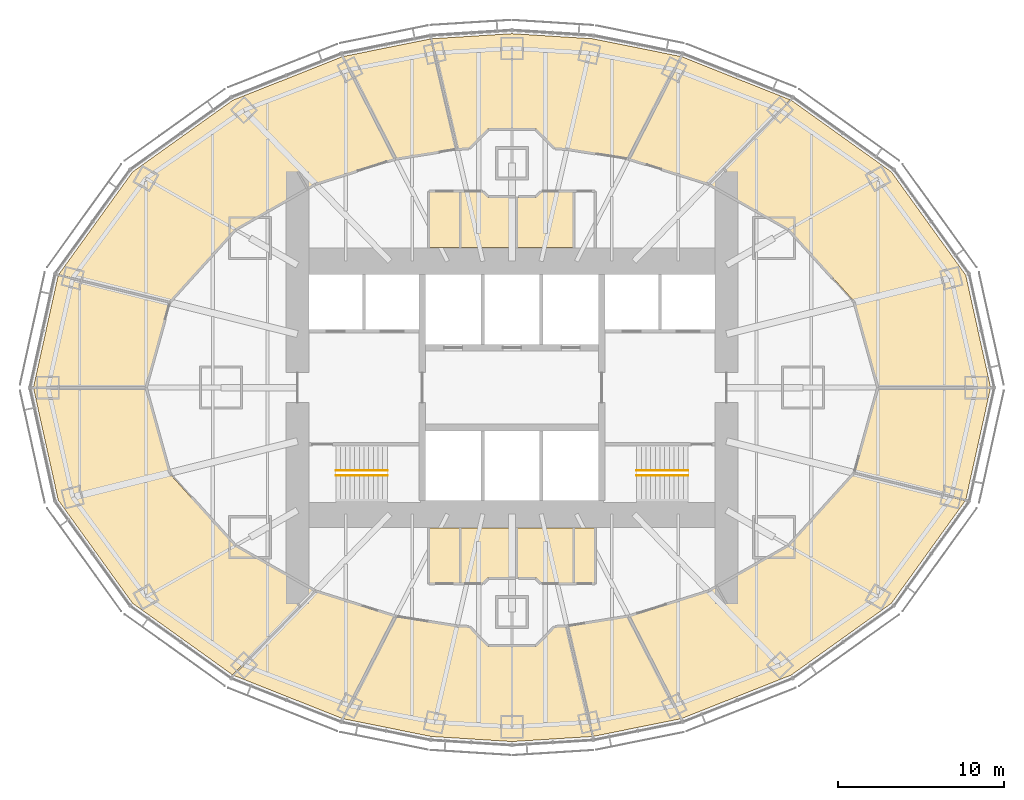
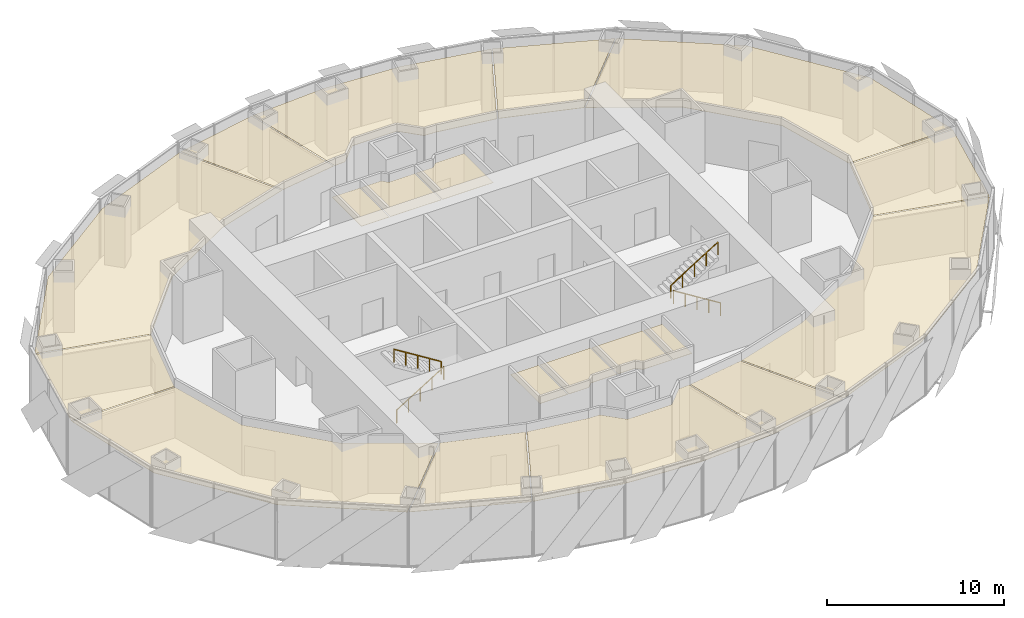
# One storey, part 18 of 18: 19 coverings, 4 railings.
"""IFC4 building model written with IfcOpenShell, lengths in metres."""

from ifc_helpers import new_model, si_unit, direction, frame, origin, origin_2d, place, context, subcontext, project, spatial, polyline, circle, outline, extrude, material, layer, layer_set, type_object, element, save


model = new_model("IFC4")

# Units and contexts
model_context = context("Model", 3, precision=1e-05, world=origin(), true_north=direction((0.0, 1.0)))
body_context = subcontext(model_context, "Body", "Model", "MODEL_VIEW")
ifc_project = project(units=[si_unit("LENGTHUNIT", "METRE"), si_unit("AREAUNIT", "SQUARE_METRE"), si_unit("VOLUMEUNIT", "CUBIC_METRE"), si_unit("PLANEANGLEUNIT", "RADIAN"), si_unit("MASSUNIT", "GRAM", prefix="KILO")], contexts=[model_context])

# Site, building, storey
site_placement = place(None, origin())
site = spatial("IfcSite", under=ifc_project, at=site_placement, CompositionType="ELEMENT")
building_placement = place(site_placement, origin())
building = spatial("IfcBuilding", under=site, at=building_placement, Name="Lantaw Convention Tower", CompositionType="ELEMENT")
storey_placement = place(building_placement, frame((0.0, 0.0, 176.199951171875)))
storey = spatial("IfcBuildingStorey", under=building, at=storey_placement, Name="L41", CompositionType="ELEMENT", Elevation=176.199951171875)

# Railings
ifc_material_1 = material(Name="Stainless steel", Category="steel")
railing_type = type_object("IfcRailingType", Name="Stair handrail", PredefinedType="HANDRAIL", material=ifc_material_1)
railing_1_placement = place(storey_placement, frame((-10.580078125, -5.280029296875, 0.175048828125)))
element("IfcRailing", 1, at=railing_1_placement, inside=storey, type_object=railing_type, Name="Stair handrail S1", PredefinedType="HANDRAIL", context=body_context, shape_type="SweptSolid", body=[
    extrude(circle(Radius=0.02392578125, at=origin_2d()), frame((0.0, 0.0, 0.8759765625), z_axis=(0.847998304005, 0.0, 0.529998940003), x_axis=(0.0, 1.0, 0.0)), (0.0, 0.0, 1.0), 3.632080078125),
    extrude(circle(Radius=0.02099609375, at=origin_2d()), origin(), (0.0, 0.0, 1.0), 0.851806640625),
    extrude(circle(Radius=0.02099609375, at=origin_2d()), frame((0.77001953125, 0.0, 0.481201171875)), (0.0, 0.0, 1.0), 0.851806640625),
    extrude(circle(Radius=0.02099609375, at=origin_2d()), frame((1.5400390625, 0.0, 0.96240234375)), (0.0, 0.0, 1.0), 0.851806640625),
    extrude(circle(Radius=0.02099609375, at=origin_2d()), frame((2.31005859375, 0.0, 1.44384765625)), (0.0, 0.0, 1.0), 0.851806640625),
    extrude(circle(Radius=0.02099609375, at=origin_2d()), frame((3.080078125, 0.0, 1.925048828125)), (0.0, 0.0, 1.0), 0.851806640625),
])
railing_2_placement = place(storey_placement, frame((-7.5, -4.97998046875, 2.275146484375)))
element("IfcRailing", 2, at=railing_2_placement, inside=storey, type_object=railing_type, Name="Stair handrail S1", PredefinedType="HANDRAIL", context=body_context, shape_type="SweptSolid", body=[
    extrude(circle(Radius=0.02392578125, at=origin_2d()), frame((0.0, 0.0, 0.8759765625), z_axis=(-0.848028513186, 0.0, 0.529950602248), x_axis=(0.0, -1.0, 0.0)), (0.0, 0.0, 1.0), 3.632080078125),
    extrude(circle(Radius=0.02099609375, at=origin_2d()), origin(), (0.0, 0.0, 1.0), 0.851806640625),
    extrude(circle(Radius=0.02099609375, at=origin_2d()), frame((-0.77001953125, 0.0, 0.481201171875)), (0.0, 0.0, 1.0), 0.851806640625),
    extrude(circle(Radius=0.02099609375, at=origin_2d()), frame((-1.5400390625, 0.0, 0.96240234375)), (0.0, 0.0, 1.0), 0.851806640625),
    extrude(circle(Radius=0.02099609375, at=origin_2d()), frame((-2.31005859375, 0.0, 1.443603515625)), (0.0, 0.0, 1.0), 0.851806640625),
    extrude(circle(Radius=0.02099609375, at=origin_2d()), frame((-3.080078125, 0.0, 1.9248046875)), (0.0, 0.0, 1.0), 0.851806640625),
])
railing_3_placement = place(storey_placement, frame((10.580078125, -5.280029296875, 0.175048828125)))
element("IfcRailing", 3, at=railing_3_placement, inside=storey, type_object=railing_type, Name="Stair handrail S2", PredefinedType="HANDRAIL", context=body_context, shape_type="SweptSolid", body=[
    extrude(circle(Radius=0.02392578125, at=origin_2d()), frame((0.0, 0.0, 0.8759765625), z_axis=(-0.847998304005, 0.0, 0.529998940003), x_axis=(0.0, -1.0, 0.0)), (0.0, 0.0, 1.0), 3.632080078125),
    extrude(circle(Radius=0.02099609375, at=origin_2d()), origin(), (0.0, 0.0, 1.0), 0.851806640625),
    extrude(circle(Radius=0.02099609375, at=origin_2d()), frame((-0.77001953125, 0.0, 0.481201171875)), (0.0, 0.0, 1.0), 0.851806640625),
    extrude(circle(Radius=0.02099609375, at=origin_2d()), frame((-1.5400390625, 0.0, 0.96240234375)), (0.0, 0.0, 1.0), 0.851806640625),
    extrude(circle(Radius=0.02099609375, at=origin_2d()), frame((-2.31005859375, 0.0, 1.44384765625)), (0.0, 0.0, 1.0), 0.851806640625),
    extrude(circle(Radius=0.02099609375, at=origin_2d()), frame((-3.080078125, 0.0, 1.925048828125)), (0.0, 0.0, 1.0), 0.851806640625),
])
railing_4_placement = place(storey_placement, frame((7.5, -4.97998046875, 2.275146484375)))
element("IfcRailing", 4, at=railing_4_placement, inside=storey, type_object=railing_type, Name="Stair handrail S2", PredefinedType="HANDRAIL", context=body_context, shape_type="SweptSolid", body=[
    extrude(circle(Radius=0.02392578125, at=origin_2d()), frame((0.0, 0.0, 0.8759765625), z_axis=(0.848028513186, 0.0, 0.529950602248), x_axis=(0.0, 1.0, 0.0)), (0.0, 0.0, 1.0), 3.632080078125),
    extrude(circle(Radius=0.02099609375, at=origin_2d()), origin(), (0.0, 0.0, 1.0), 0.851806640625),
    extrude(circle(Radius=0.02099609375, at=origin_2d()), frame((0.77001953125, 0.0, 0.481201171875)), (0.0, 0.0, 1.0), 0.851806640625),
    extrude(circle(Radius=0.02099609375, at=origin_2d()), frame((1.5400390625, 0.0, 0.96240234375)), (0.0, 0.0, 1.0), 0.851806640625),
    extrude(circle(Radius=0.02099609375, at=origin_2d()), frame((2.31005859375, 0.0, 1.443603515625)), (0.0, 0.0, 1.0), 0.851806640625),
    extrude(circle(Radius=0.02099609375, at=origin_2d()), frame((3.080078125, 0.0, 1.9248046875)), (0.0, 0.0, 1.0), 0.851806640625),
])

# Coverings
ifc_material_2 = material(Name="Gypsum board on steel suspension grid", Category="steel")
ifc_layer = layer(ifc_material_2, 0.02001953125)
ifc_layer_set = layer_set([ifc_layer], Name="Suspended ceiling")
covering_type = type_object("IfcCoveringType", Name="Suspended ceiling", PredefinedType="CEILING", material=ifc_layer_set)
covering_1_placement = place(storey_placement, frame((0.0, 0.0, 3.449951171875)))
element("IfcCovering", 5, at=covering_1_placement, inside=storey, type_object=covering_type, Name="Accessible WC ceiling", PredefinedType="CEILING", context=body_context, shape_type="SweptSolid", body=[
    extrude(outline(polyline([(-4.9599609375, 8.43994140625), (-3.139892578125, 8.43994140625), (-3.139892578125, 11.760009765625), (-4.9599609375, 11.760009765625), (-4.9599609375, 8.43994140625)])), origin(), (0.0, 0.0, 1.0), 0.02001953125),
])
covering_2_placement = place(storey_placement, frame((0.0, 0.0, 3.449951171875)))
element("IfcCovering", 6, at=covering_2_placement, inside=storey, type_object=covering_type, Name="Male WC ceiling", PredefinedType="CEILING", context=body_context, shape_type="SweptSolid", body=[
    extrude(outline(polyline([(-3.06005859375, 11.760009765625), (-3.06005859375, 8.43994140625), (0.260009765625, 8.43994140625), (0.260009765625, 11.43505859375), (-1.441162109375, 11.43505859375), (-1.76611328125, 11.760009765625), (-3.06005859375, 11.760009765625)])), origin(), (0.0, 0.0, 1.0), 0.02001953125),
])
covering_3_placement = place(storey_placement, frame((0.0, 0.0, 3.449951171875)))
element("IfcCovering", 7, at=covering_3_placement, inside=storey, type_object=covering_type, Name="Female WC ceiling", PredefinedType="CEILING", context=body_context, shape_type="SweptSolid", body=[
    extrude(outline(polyline([(0.340087890625, 11.43505859375), (0.340087890625, 8.43994140625), (3.659912109375, 8.43994140625), (3.659912109375, 11.760009765625), (1.76611328125, 11.760009765625), (1.441162109375, 11.43505859375), (0.340087890625, 11.43505859375)])), origin(), (0.0, 0.0, 1.0), 0.02001953125),
])
covering_4_placement = place(storey_placement, frame((0.0, 0.0, 3.449951171875)))
element("IfcCovering", 8, at=covering_4_placement, inside=storey, type_object=covering_type, Name="Accessible WC ceiling", PredefinedType="CEILING", context=body_context, shape_type="SweptSolid", body=[
    extrude(outline(polyline([(-4.9599609375, -11.760009765625), (-3.139892578125, -11.760009765625), (-3.139892578125, -8.43994140625), (-4.9599609375, -8.43994140625), (-4.9599609375, -11.760009765625)])), origin(), (0.0, 0.0, 1.0), 0.02001953125),
])
covering_5_placement = place(storey_placement, frame((0.0, 0.0, 3.449951171875)))
element("IfcCovering", 9, at=covering_5_placement, inside=storey, type_object=covering_type, Name="Male WC ceiling", PredefinedType="CEILING", context=body_context, shape_type="SweptSolid", body=[
    extrude(outline(polyline([(-3.06005859375, -8.43994140625), (-3.06005859375, -11.760009765625), (-1.76611328125, -11.760009765625), (-1.441162109375, -11.43505859375), (0.260009765625, -11.43505859375), (0.260009765625, -8.43994140625), (-3.06005859375, -8.43994140625)])), origin(), (0.0, 0.0, 1.0), 0.02001953125),
])
covering_6_placement = place(storey_placement, frame((0.0, 0.0, 3.449951171875)))
element("IfcCovering", 10, at=covering_6_placement, inside=storey, type_object=covering_type, Name="Female WC ceiling", PredefinedType="CEILING", context=body_context, shape_type="SweptSolid", body=[
    extrude(outline(polyline([(0.340087890625, -8.43994140625), (0.340087890625, -11.43505859375), (1.441162109375, -11.43505859375), (1.76611328125, -11.760009765625), (3.659912109375, -11.760009765625), (3.659912109375, -8.43994140625), (0.340087890625, -8.43994140625)])), origin(), (0.0, 0.0, 1.0), 0.02001953125),
])
covering_7_placement = place(storey_placement, frame((0.0, 0.0, 3.449951171875)))
element("IfcCovering", 11, at=covering_7_placement, inside=storey, type_object=covering_type, Name="Pantry ceiling", PredefinedType="CEILING", context=body_context, shape_type="SweptSolid", body=[
    extrude(outline(polyline([(3.739990234375, -11.760009765625), (4.9599609375, -11.760009765625), (4.9599609375, -8.43994140625), (3.739990234375, -8.43994140625), (3.739990234375, -11.760009765625)])), origin(), (0.0, 0.0, 1.0), 0.02001953125),
])
covering_8_placement = place(storey_placement, frame((0.0, 0.0, 3.449951171875)))
element("IfcCovering", 12, at=covering_8_placement, inside=storey, type_object=covering_type, Name="Tenant suite ceiling", PredefinedType="CEILING", context=body_context, shape_type="SweptSolid", body=[
    extrude(outline(polyline([(22.030517578125, 0.0400390625), (28.77099609375, 0.0400390625), (27.286865234375, 6.763671875), (22.815185546875, 12.970947265625), (16.802001953125, 17.2744140625), (11.877685546875, 12.24169921875), (16.647705078125, 9.5302734375), (20.61279296875, 5.150146484375), (22.030517578125, 0.0400390625)])), origin(), (0.0, 0.0, 1.0), 0.02001953125),
])
covering_9_placement = place(storey_placement, frame((0.0, 0.0, 3.449951171875)))
element("IfcCovering", 13, at=covering_9_placement, inside=storey, type_object=covering_type, Name="Meeting room ceiling", PredefinedType="CEILING", context=body_context, shape_type="SweptSolid", body=[
    extrude(outline(polyline([(11.80126953125, 12.278076171875), (16.7265625, 17.311767578125), (10.217041015625, 19.893798828125), (7.06103515625, 13.76953125), (11.80126953125, 12.278076171875)])), origin(), (0.0, 0.0, 1.0), 0.02001953125),
])
covering_10_placement = place(storey_placement, frame((0.0, 0.0, 3.449951171875)))
element("IfcCovering", 14, at=covering_10_placement, inside=storey, type_object=covering_type, Name="Tenant suite ceiling", PredefinedType="CEILING", context=body_context, shape_type="SweptSolid", body=[
    extrude(outline(polyline([(-2.06494140625, 14.928955078125), (-2.06494140625, 14.941162109375), (-1.441162109375, 15.56494140625), (1.441162109375, 15.56494140625), (2.06494140625, 14.941162109375), (2.06494140625, 14.928955078125), (2.58349609375, 14.4111328125), (3.313720703125, 14.374755859375), (6.9814453125, 13.78955078125), (10.13818359375, 19.91552734375), (4.864501953125, 20.978271484375), (0.0, 21.28466796875), (-4.81982421875, 20.98095703125), (-3.278076171875, 14.376708984375), (-2.58349609375, 14.4111328125), (-2.06494140625, 14.928955078125)])), origin(), (0.0, 0.0, 1.0), 0.02001953125),
])
covering_11_placement = place(storey_placement, frame((0.0, 0.0, 3.449951171875)))
element("IfcCovering", 15, at=covering_11_placement, inside=storey, type_object=covering_type, Name="Meeting room ceiling", PredefinedType="CEILING", context=body_context, shape_type="SweptSolid", body=[
    extrude(outline(polyline([(-3.358154296875, 14.36767578125), (-4.899658203125, 20.970947265625), (-10.13818359375, 19.91552734375), (-6.9814453125, 13.78955078125), (-3.358154296875, 14.36767578125)])), origin(), (0.0, 0.0, 1.0), 0.02001953125),
])
covering_12_placement = place(storey_placement, frame((0.0, 0.0, 3.449951171875)))
element("IfcCovering", 16, at=covering_12_placement, inside=storey, type_object=covering_type, Name="Tenant suite ceiling", PredefinedType="CEILING", context=body_context, shape_type="SweptSolid", body=[
    extrude(outline(polyline([(-7.06103515625, 13.76953125), (-10.217041015625, 19.893798828125), (-16.778076171875, 17.29150390625), (-22.815185546875, 12.970947265625), (-27.257080078125, 6.80517578125), (-20.590576171875, 5.1748046875), (-16.647705078125, 9.5302734375), (-11.828857421875, 12.269287109375), (-7.06103515625, 13.76953125)])), origin(), (0.0, 0.0, 1.0), 0.02001953125),
])
covering_13_placement = place(storey_placement, frame((0.0, 0.0, 3.449951171875)))
element("IfcCovering", 17, at=covering_13_placement, inside=storey, type_object=covering_type, Name="Meeting room ceiling", PredefinedType="CEILING", context=body_context, shape_type="SweptSolid", body=[
    extrude(outline(polyline([(-20.62646484375, 5.101318359375), (-27.2939453125, 6.731689453125), (-28.77099609375, 0.0400390625), (-22.030517578125, 0.0400390625), (-20.62646484375, 5.101318359375)])), origin(), (0.0, 0.0, 1.0), 0.02001953125),
])
covering_14_placement = place(storey_placement, frame((0.0, 0.0, 3.449951171875)))
element("IfcCovering", 18, at=covering_14_placement, inside=storey, type_object=covering_type, Name="Tenant suite ceiling", PredefinedType="CEILING", context=body_context, shape_type="SweptSolid", body=[
    extrude(outline(polyline([(-22.030517578125, -0.0400390625), (-28.77099609375, -0.0400390625), (-27.286865234375, -6.763671875), (-22.815185546875, -12.970947265625), (-16.802001953125, -17.2744140625), (-11.877685546875, -12.24169921875), (-16.647705078125, -9.5302734375), (-20.61279296875, -5.150146484375), (-22.030517578125, -0.0400390625)])), origin(), (0.0, 0.0, 1.0), 0.02001953125),
])
covering_15_placement = place(storey_placement, frame((0.0, 0.0, 3.449951171875)))
element("IfcCovering", 19, at=covering_15_placement, inside=storey, type_object=covering_type, Name="Meeting room ceiling", PredefinedType="CEILING", context=body_context, shape_type="SweptSolid", body=[
    extrude(outline(polyline([(-11.80126953125, -12.278076171875), (-16.7265625, -17.311767578125), (-10.217041015625, -19.893798828125), (-7.06103515625, -13.76953125), (-11.80126953125, -12.278076171875)])), origin(), (0.0, 0.0, 1.0), 0.02001953125),
])
covering_16_placement = place(storey_placement, frame((0.0, 0.0, 3.449951171875)))
element("IfcCovering", 20, at=covering_16_placement, inside=storey, type_object=covering_type, Name="Tenant suite ceiling", PredefinedType="CEILING", context=body_context, shape_type="SweptSolid", body=[
    extrude(outline(polyline([(-2.58349609375, -14.4111328125), (-3.313720703125, -14.374755859375), (-6.9814453125, -13.78955078125), (-10.13818359375, -19.91552734375), (-4.864501953125, -20.978271484375), (0.0, -21.28466796875), (4.81982421875, -20.98095703125), (3.278076171875, -14.376708984375), (2.58349609375, -14.4111328125), (2.06494140625, -14.928955078125), (2.06494140625, -14.941162109375), (1.441162109375, -15.56494140625), (-1.441162109375, -15.56494140625), (-2.06494140625, -14.941162109375), (-2.06494140625, -14.928955078125), (-2.58349609375, -14.4111328125)])), origin(), (0.0, 0.0, 1.0), 0.02001953125),
])
covering_17_placement = place(storey_placement, frame((0.0, 0.0, 3.449951171875)))
element("IfcCovering", 21, at=covering_17_placement, inside=storey, type_object=covering_type, Name="Meeting room ceiling", PredefinedType="CEILING", context=body_context, shape_type="SweptSolid", body=[
    extrude(outline(polyline([(3.358154296875, -14.36767578125), (4.899658203125, -20.970947265625), (10.13818359375, -19.91552734375), (6.9814453125, -13.78955078125), (3.358154296875, -14.36767578125)])), origin(), (0.0, 0.0, 1.0), 0.02001953125),
])
covering_18_placement = place(storey_placement, frame((0.0, 0.0, 3.449951171875)))
element("IfcCovering", 22, at=covering_18_placement, inside=storey, type_object=covering_type, Name="Tenant suite ceiling", PredefinedType="CEILING", context=body_context, shape_type="SweptSolid", body=[
    extrude(outline(polyline([(7.06103515625, -13.76953125), (10.217041015625, -19.893798828125), (16.778076171875, -17.29150390625), (22.815185546875, -12.970947265625), (27.257080078125, -6.80517578125), (20.590576171875, -5.1748046875), (16.647705078125, -9.5302734375), (11.828857421875, -12.269287109375), (7.06103515625, -13.76953125)])), origin(), (0.0, 0.0, 1.0), 0.02001953125),
])
covering_19_placement = place(storey_placement, frame((0.0, 0.0, 3.449951171875)))
element("IfcCovering", 23, at=covering_19_placement, inside=storey, type_object=covering_type, Name="Meeting room ceiling", PredefinedType="CEILING", context=body_context, shape_type="SweptSolid", body=[
    extrude(outline(polyline([(20.62646484375, -5.101318359375), (27.2939453125, -6.731689453125), (28.77099609375, -0.0400390625), (22.030517578125, -0.0400390625), (20.62646484375, -5.101318359375)])), origin(), (0.0, 0.0, 1.0), 0.02001953125),
])

save(model, "model.ifc")
